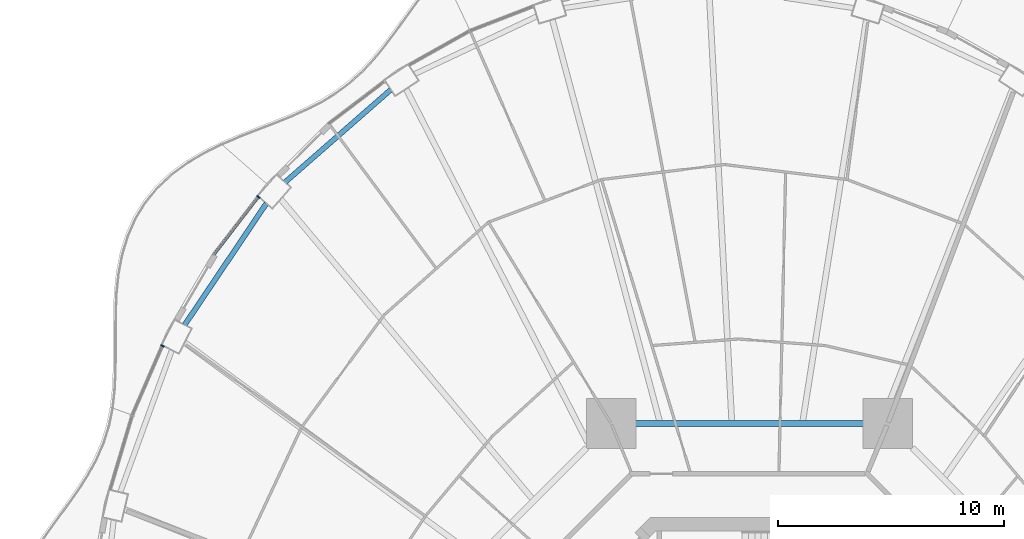
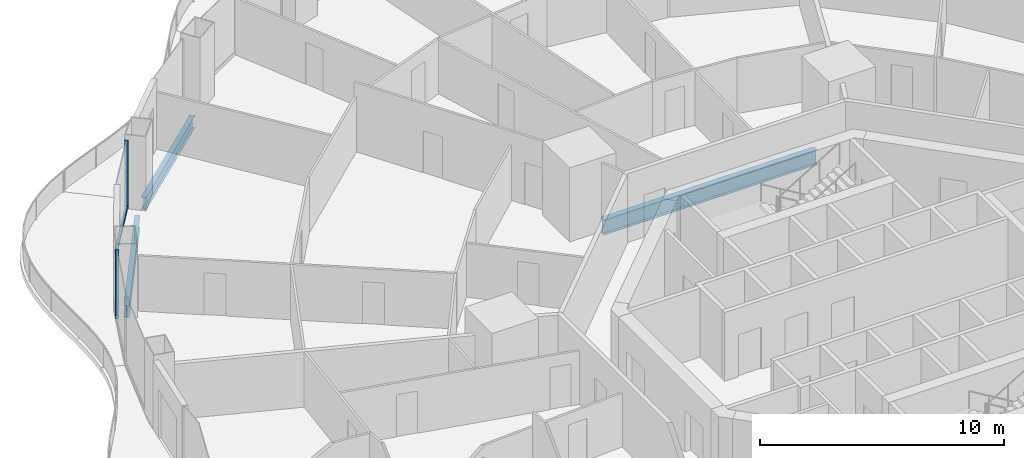
# One storey, part 8 of 22: 3 beams, 3 members, 2 elements without a shape of their own.
"""IFC4 building model written with IfcOpenShell, lengths in metres."""

from ifc_helpers import new_model, si_unit, direction, frame, origin, origin_2d, place, context, subcontext, project, spatial, rectangle, i_section, extrude, material, layer, layer_set, material_profile, profile_set, type_object, element, aggregate, save


model = new_model("IFC4")

# Units and contexts
model_context = context("Model", 3, precision=1e-05, world=origin(), true_north=direction((0.0, 1.0)))
body_context = subcontext(model_context, "Body", "Model", "MODEL_VIEW")
ifc_project = project(units=[si_unit("LENGTHUNIT", "METRE"), si_unit("AREAUNIT", "SQUARE_METRE"), si_unit("VOLUMEUNIT", "CUBIC_METRE"), si_unit("PLANEANGLEUNIT", "RADIAN"), si_unit("MASSUNIT", "GRAM", prefix="KILO")], contexts=[model_context])

# Site, building, storey
site_placement = place(None, origin())
site = spatial("IfcSite", under=ifc_project, at=site_placement, CompositionType="ELEMENT")
building_placement = place(site_placement, origin())
building = spatial("IfcBuilding", under=site, at=building_placement, Name="Nagisa Residences", CompositionType="ELEMENT")
storey_placement = place(building_placement, frame((0.0, 0.0, 88.10009765625)))
storey = spatial("IfcBuildingStorey", under=building, at=storey_placement, Name="L21", CompositionType="ELEMENT", Elevation=88.10009765625)

# Curtain wall, member
ifc_material_1 = material(Name="Concrete-coloured aluminium curtain wall system", Category="concrete")
ifc_layer = layer(ifc_material_1, 0.159912109375)
ifc_layer_set = layer_set([ifc_layer], Name="CW1 CURTAIN WALL")
curtain_wall_type = type_object("IfcCurtainWallType", Name="CW1 CURTAIN WALL", PredefinedType="NOTDEFINED", material=ifc_layer_set)
curtain_wall_1_placement = place(storey_placement, origin())
curtain_wall_1 = element("IfcCurtainWall", 1, at=curtain_wall_1_placement, inside=storey, type_object=curtain_wall_type, Name="cw:CW1:L21:18", PredefinedType="NOTDEFINED")
ifc_material_2 = material(Name="Concrete-coloured aluminium", Category="concrete")
ifc_material_profile_1 = material_profile(ifc_material_2, rectangle(XDim=0.159912109375, YDim=0.06005859375, at=origin_2d()), Name="CW1 MULLION 160x60")
ifc_profile_set_1 = profile_set([ifc_material_profile_1], Name="Concrete-coloured aluminium")
member_type_1 = type_object("IfcMemberType", Name="CW1 MULLION 160x60", PredefinedType="MULLION", material=ifc_profile_set_1)
member_1_placement = place(storey_placement, frame((-21.735107421875, 24.814697265625, 0.0), z_axis=(0.0, 0.0, 1.0), x_axis=(0.792070340816, -0.610429828235, 0.0)))
member_1 = element("IfcMember", 2, at=member_1_placement, type_object=member_type_1, Name="CW1 mullion", PredefinedType="MULLION", context=body_context, shape_type="SweptSolid", body=[
    extrude(rectangle(XDim=0.159912109375, YDim=0.06005859375, at=origin_2d()), origin(), (0.0, 0.0, 1.0), 3.43994140625),
])

curtain_wall_2_placement = place(storey_placement, origin())
curtain_wall_2 = element("IfcCurtainWall", 3, at=curtain_wall_2_placement, inside=storey, type_object=curtain_wall_type, Name="cw:CW1:L21:20", PredefinedType="NOTDEFINED")
member_2_placement = place(storey_placement, frame((-25.9814453125, 18.219482421875, 0.0), z_axis=(0.0, 0.0, 1.0), x_axis=(0.917543276295, -0.397635934147, 0.0)))
member_2 = element("IfcMember", 4, at=member_2_placement, type_object=member_type_1, Name="CW1 mullion", PredefinedType="MULLION", context=body_context, shape_type="SweptSolid", body=[
    extrude(rectangle(XDim=0.159912109375, YDim=0.06005859375, at=origin_2d()), origin(), (0.0, 0.0, 1.0), 3.43994140625),
])
aggregate(curtain_wall_2, [member_2])

# Member
ifc_material_3 = material(Name="Concrete-coloured aluminium", Category="concrete")
ifc_material_profile_2 = material_profile(ifc_material_3, rectangle(XDim=0.1201171875, YDim=0.14990234375, at=origin_2d()), Name="CW1 TRANSOM 120x150")
ifc_profile_set_2 = profile_set([ifc_material_profile_2], Name="Concrete-coloured aluminium")
member_type_2 = type_object("IfcMemberType", Name="CW1 TRANSOM 120x150", PredefinedType="USERDEFINED", material=ifc_profile_set_2)
member_3_placement = place(storey_placement, frame((-21.716796875, 24.83837890625, 0.074951171875), z_axis=(-0.61041202934, -0.792084057684, 0.0), x_axis=(0.792084057684, -0.61041202934, 0.0)))
member_3 = element("IfcMember", 5, at=member_3_placement, type_object=member_type_2, Name="CW1 transom", ObjectType="TRANSOM", PredefinedType="USERDEFINED", context=body_context, shape_type="SweptSolid", body=[
    extrude(rectangle(XDim=0.1201171875, YDim=0.14990234375, at=origin_2d()), origin(), (0.0, 0.0, 1.0), 3.262939453125),
])

aggregate(curtain_wall_1, [member_1, member_3])

# Beams
ifc_material_4 = material(Name="Steel ASTM A572 Gr 50", Category="steel")
ifc_material_profile_3 = material_profile(ifc_material_4, i_section(OverallWidth=0.264892578125, OverallDepth=0.7529296875, WebThickness=0.01318359375, FlangeThickness=0.01708984375, at=origin_2d()), Name="W760x147")
ifc_profile_set_3 = profile_set([ifc_material_profile_3], Name="Steel ASTM A572 Gr 50")
beam_type_1 = type_object("IfcBeamType", Name="Inner ring beam W760x147", PredefinedType="BEAM", material=ifc_profile_set_3)
beam_1_placement = place(storey_placement, frame((5.04296875, 14.781982421875, -0.63671875), z_axis=(-1.0, 0.0, 0.0), x_axis=(0.0, -1.0, 0.0)))
element("IfcBeam", 6, at=beam_1_placement, inside=storey, type_object=beam_type_1, Name="beam:L21:ib2", PredefinedType="BEAM", context=body_context, shape_type="SweptSolid", body=[
    extrude(i_section(OverallWidth=0.264892578125, OverallDepth=0.7529296875, WebThickness=0.01318359375, FlangeThickness=0.01708984375, at=origin_2d()), origin(), (0.0, 0.0, 1.0), 10.0859375),
])
ifc_material_5 = material(Name="Steel ASTM A572 Gr 50", Category="steel")
ifc_material_profile_4 = material_profile(ifc_material_5, i_section(OverallWidth=0.22802734375, OverallDepth=0.60302734375, WebThickness=0.010498046875, FlangeThickness=0.014892578125, at=origin_2d()), Name="W610x101")
ifc_profile_set_4 = profile_set([ifc_material_profile_4], Name="Steel ASTM A572 Gr 50")
beam_type_2 = type_object("IfcBeamType", Name="Perimeter ring beam W610x101", PredefinedType="BEAM", material=ifc_profile_set_4)
beam_2_placement = place(storey_placement, frame((-15.876220703125, 29.55859375, -0.5615234375), z_axis=(-0.752542612886, -0.658543556488, 0.0), x_axis=(0.658543556488, -0.752542612886, 0.0)))
element("IfcBeam", 7, at=beam_2_placement, inside=storey, type_object=beam_type_2, Name="beam:L21:pb09", PredefinedType="BEAM", context=body_context, shape_type="SweptSolid", body=[
    extrude(i_section(OverallWidth=0.22802734375, OverallDepth=0.60302734375, WebThickness=0.010498046875, FlangeThickness=0.014892578125, at=origin_2d()), origin(), (0.0, 0.0, 1.0), 6.212646484375),
])
beam_3_placement = place(storey_placement, frame((-21.384521484375, 24.521484375, -0.5615234375), z_axis=(-0.558221079259, -0.829692248168, 0.0), x_axis=(0.829692248168, -0.558221079259, 0.0)))
element("IfcBeam", 8, at=beam_3_placement, inside=storey, type_object=beam_type_2, Name="beam:L21:pb10", PredefinedType="BEAM", context=body_context, shape_type="SweptSolid", body=[
    extrude(i_section(OverallWidth=0.22802734375, OverallDepth=0.60302734375, WebThickness=0.010498046875, FlangeThickness=0.014892578125, at=origin_2d()), origin(), (0.0, 0.0, 1.0), 6.471435546875),
])

save(model, "model.ifc")
